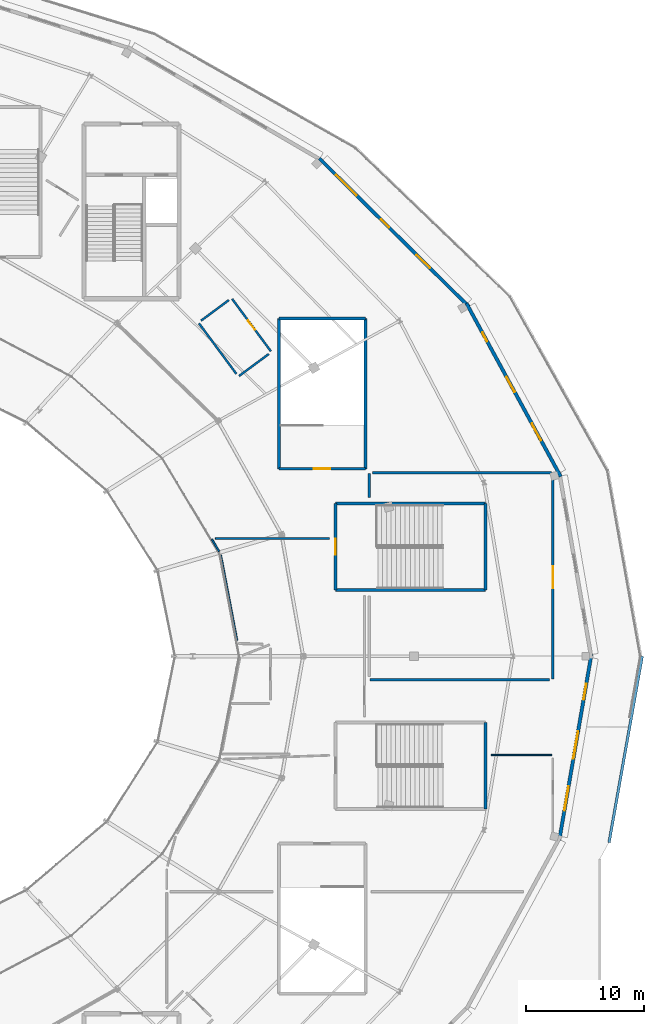
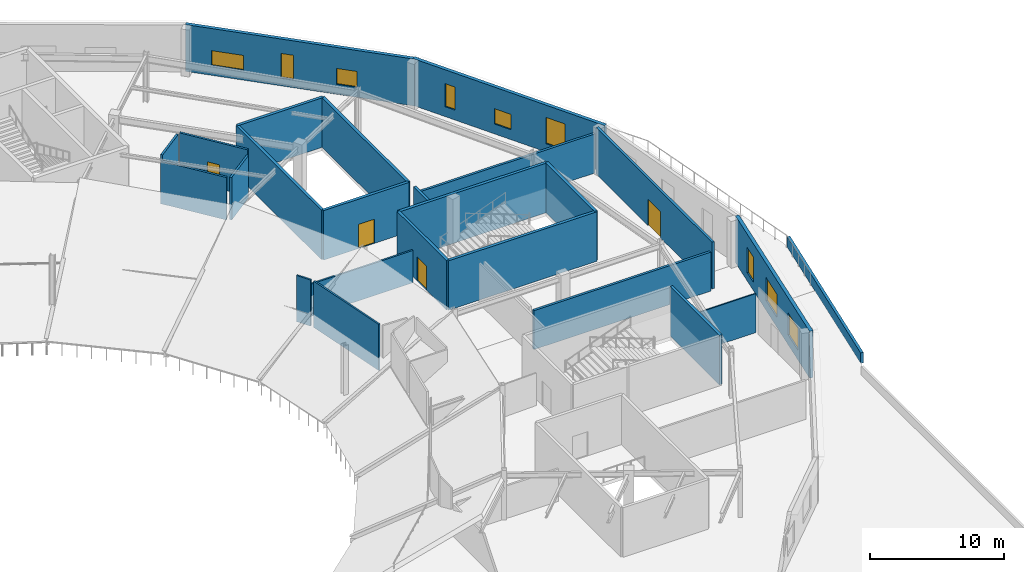
# One storey, part 41 of 63: 25 walls, 9 windows, 4 doors, 13 openings.
"""IFC4 building model written with IfcOpenShell, lengths in metres."""

from ifc_helpers import new_model, si_unit, direction, frame, frame_2d, origin, place, context, subcontext, project, spatial, rectangle, extrude, material, layer, layer_set, type_object, element, fill, save


model = new_model("IFC4")

# Units and contexts
model_context = context("Model", 3, precision=1e-05, world=origin(), true_north=direction((0.0, 1.0)))
body_context = subcontext(model_context, "Body", "Model", "MODEL_VIEW")
ifc_project = project(units=[si_unit("LENGTHUNIT", "METRE"), si_unit("AREAUNIT", "SQUARE_METRE"), si_unit("VOLUMEUNIT", "CUBIC_METRE"), si_unit("PLANEANGLEUNIT", "RADIAN"), si_unit("MASSUNIT", "GRAM", prefix="KILO")], contexts=[model_context])

# Site, building, storey
site_placement = place(None, origin())
site = spatial("IfcSite", under=ifc_project, at=site_placement, CompositionType="ELEMENT")
building_placement = place(site_placement, origin())
building = spatial("IfcBuilding", under=site, at=building_placement, Name="Kalgoora Escarpment Arena", CompositionType="ELEMENT")
storey_placement = place(building_placement, frame((0.0, 0.0, 14.39990234375)))
storey = spatial("IfcBuildingStorey", under=building, at=storey_placement, Name="L03", CompositionType="ELEMENT", Elevation=14.39990234375)

# Wall, openings, windows
ifc_material_1 = material(Name="Upper concourse insulated spandrel wall 40 MPa", Category="concrete")
ifc_layer_1 = layer(ifc_material_1, 0.2900390625)
ifc_layer_set_1 = layer_set([ifc_layer_1], Name="WAL-EXT-290")
wall_type_1 = type_object("IfcWallType", Name="WAL-EXT-290", PredefinedType="SOLIDWALL", material=ifc_layer_set_1)
wall_1_placement = place(storey_placement, frame((147.757080078125, 106.300537109375, 0.0), z_axis=(0.0, 0.0, 1.0), x_axis=(0.710110182589, -0.704090568452, 0.0)))
wall_1 = element("IfcWall", 1, at=wall_1_placement, inside=storey, type_object=wall_type_1, Name="L03 limestone-faced external wall 063", PredefinedType="SOLIDWALL", context=body_context, shape_type="SweptSolid", body=[
    extrude(rectangle(XDim=17.926513671875, YDim=0.2900390625, at=frame_2d((8.96337890625, 0.0))), origin(), (0.0, 0.0, 1.0), 4.260009765625),
])
opening_1_placement = place(wall_1_placement, frame((2.02490234375, 0.0, 0.89990234375)))
opening_1 = element("IfcOpeningElement", 2, at=opening_1_placement, cuts=wall_1, Name="Opening W-15", PredefinedType="OPENING", context=body_context, shape_type="SweptSolid", body=[
    extrude(rectangle(XDim=2.449951171875, YDim=1.35009765625, at=frame_2d((1.22509765625, 0.675048828125))), frame((0.0, 0.155029296875, 0.0), z_axis=(0.0, -1.0, 0.0), x_axis=(1.0, 0.0, 0.0)), (0.0, 0.0, 1.0), 0.31005859375),
])
opening_2_placement = place(wall_1_placement, frame((7.375, 0.0, 0.75)))
opening_2 = element("IfcOpeningElement", 3, at=opening_2_placement, cuts=wall_1, Name="Opening W-17", PredefinedType="OPENING", context=body_context, shape_type="SweptSolid", body=[
    extrude(rectangle(XDim=0.949951171875, YDim=2.199951171875, at=frame_2d((0.47509765625, 1.10009765625))), frame((0.0, 0.155029296875, 0.0), z_axis=(0.0, -1.0, 0.0), x_axis=(1.0, 0.0, 0.0)), (0.0, 0.0, 1.0), 0.31005859375),
])
opening_3_placement = place(wall_1_placement, frame((11.64990234375, 0.0, 0.89990234375)))
opening_3 = element("IfcOpeningElement", 4, at=opening_3_placement, cuts=wall_1, Name="Opening W-19", PredefinedType="OPENING", context=body_context, shape_type="SweptSolid", body=[
    extrude(rectangle(XDim=1.60009765625, YDim=1.449951171875, at=frame_2d((0.800048828125, 0.72509765625))), frame((0.0, 0.155029296875, 0.0), z_axis=(0.0, -1.0, 0.0), x_axis=(1.0, 0.0, 0.0)), (0.0, 0.0, 1.0), 0.31005859375),
])
ifc_material_2 = material(Name="Low-E solar-control double glazing in champagne frame", Category="glass")
window_type_1 = type_object("IfcWindowType", Name="WIN-BOH-1600x1450", PartitioningType="SINGLE_PANEL", PredefinedType="WINDOW", material=ifc_material_2)
window_1_placement = place(opening_3_placement, origin())
window_1 = element("IfcWindow", 5, at=window_1_placement, inside=storey, type_object=window_type_1, Name="L03 scheduled facade window 097", OverallHeight=1.449951171875, OverallWidth=1.60009765625, PartitioningType="SINGLE_PANEL", PredefinedType="WINDOW", context=body_context, shape_type="SweptSolid", body=[
    extrude(rectangle(XDim=1.60009765625, YDim=1.449951171875, at=frame_2d((0.800048828125, 0.72509765625))), frame((0.0, 0.030029296875, 0.0), z_axis=(0.0, -1.0, 0.0), x_axis=(1.0, 0.0, 0.0)), (0.0, 0.0, 1.0), 0.06005859375),
])
fill(opening_3, window_1)
ifc_material_3 = material(Name="Low-E solar-control double glazing in champagne frame", Category="glass")
window_type_2 = type_object("IfcWindowType", Name="WIN-CLER-2450x1350", PartitioningType="SINGLE_PANEL", PredefinedType="WINDOW", material=ifc_material_3)
window_2_placement = place(opening_1_placement, origin())
window_2 = element("IfcWindow", 6, at=window_2_placement, inside=storey, type_object=window_type_2, Name="L03 scheduled facade window 095", OverallHeight=1.35009765625, OverallWidth=2.449951171875, PartitioningType="SINGLE_PANEL", PredefinedType="WINDOW", context=body_context, shape_type="SweptSolid", body=[
    extrude(rectangle(XDim=2.449951171875, YDim=1.35009765625, at=frame_2d((1.22509765625, 0.675048828125))), frame((0.0, 0.030029296875, 0.0), z_axis=(0.0, -1.0, 0.0), x_axis=(1.0, 0.0, 0.0)), (0.0, 0.0, 1.0), 0.06005859375),
])
fill(opening_1, window_2)
ifc_material_4 = material(Name="Low-E solar-control double glazing in champagne frame", Category="glass")
window_type_3 = type_object("IfcWindowType", Name="WIN-SLOT-0950x2200", PartitioningType="SINGLE_PANEL", PredefinedType="WINDOW", material=ifc_material_4)
window_3_placement = place(opening_2_placement, origin())
window_3 = element("IfcWindow", 7, at=window_3_placement, inside=storey, type_object=window_type_3, Name="L03 scheduled facade window 096", OverallHeight=2.199951171875, OverallWidth=0.949951171875, PartitioningType="SINGLE_PANEL", PredefinedType="WINDOW", context=body_context, shape_type="SweptSolid", body=[
    extrude(rectangle(XDim=0.949951171875, YDim=2.199951171875, at=frame_2d((0.47509765625, 1.10009765625))), frame((0.0, 0.030029296875, 0.0), z_axis=(0.0, -1.0, 0.0), x_axis=(1.0, 0.0, 0.0)), (0.0, 0.0, 1.0), 0.06005859375),
])
fill(opening_2, window_3)

wall_2_placement = place(storey_placement, frame((160.26171875, 93.978515625, 0.0), z_axis=(0.0, 0.0, 1.0), x_axis=(0.47816402112, -0.878270555641, 0.0)))
wall_2 = element("IfcWall", 8, at=wall_2_placement, inside=storey, type_object=wall_type_1, Name="L03 limestone-faced external wall 064", PredefinedType="SOLIDWALL", context=body_context, shape_type="SweptSolid", body=[
    extrude(rectangle(XDim=16.75830078125, YDim=0.2900390625, at=frame_2d((8.379150390625, 0.0))), origin(), (0.0, 0.0, 1.0), 4.260009765625),
])
opening_4_placement = place(wall_2_placement, frame((2.824951171875, 0.0, 0.89990234375)))
opening_4 = element("IfcOpeningElement", 9, at=opening_4_placement, cuts=wall_2, Name="Opening W-18", PredefinedType="OPENING", context=body_context, shape_type="SweptSolid", body=[
    extrude(rectangle(XDim=0.85009765625, YDim=2.10009765625, at=frame_2d((0.425048828125, 1.050048828125))), frame((0.0, 0.155029296875, 0.0), z_axis=(0.0, -1.0, 0.0), x_axis=(1.0, 0.0, 0.0)), (0.0, 0.0, 1.0), 0.31005859375),
])
opening_5_placement = place(wall_2_placement, frame((7.125, 0.0, 0.89990234375)))
opening_5 = element("IfcOpeningElement", 10, at=opening_5_placement, cuts=wall_2, Name="Opening W-20", PredefinedType="OPENING", context=body_context, shape_type="SweptSolid", body=[
    extrude(rectangle(XDim=1.449951171875, YDim=1.39990234375, at=frame_2d((0.72509765625, 0.699951171875))), frame((0.0, 0.155029296875, 0.0), z_axis=(0.0, -1.0, 0.0), x_axis=(1.0, 0.0, 0.0)), (0.0, 0.0, 1.0), 0.31005859375),
])
opening_6_placement = place(wall_2_placement, frame((11.625, 0.0, 0.75)))
opening_6 = element("IfcOpeningElement", 11, at=opening_6_placement, cuts=wall_2, Name="Opening W-02", PredefinedType="OPENING", context=body_context, shape_type="SweptSolid", body=[
    extrude(rectangle(XDim=1.64990234375, YDim=2.39990234375, at=frame_2d((0.824951171875, 1.199951171875))), frame((0.0, 0.155029296875, 0.0), z_axis=(0.0, -1.0, 0.0), x_axis=(1.0, 0.0, 0.0)), (0.0, 0.0, 1.0), 0.31005859375),
])
ifc_material_5 = material(Name="Low-E solar-control double glazing in champagne frame", Category="glass")
window_type_4 = type_object("IfcWindowType", Name="WIN-BOH-1450x1400", PartitioningType="SINGLE_PANEL", PredefinedType="WINDOW", material=ifc_material_5)
window_4_placement = place(opening_5_placement, origin())
window_4 = element("IfcWindow", 12, at=window_4_placement, inside=storey, type_object=window_type_4, Name="L03 scheduled facade window 099", OverallHeight=1.39990234375, OverallWidth=1.449951171875, PartitioningType="SINGLE_PANEL", PredefinedType="WINDOW", context=body_context, shape_type="SweptSolid", body=[
    extrude(rectangle(XDim=1.449951171875, YDim=1.39990234375, at=frame_2d((0.72509765625, 0.699951171875))), frame((0.0, 0.030029296875, 0.0), z_axis=(0.0, -1.0, 0.0), x_axis=(1.0, 0.0, 0.0)), (0.0, 0.0, 1.0), 0.06005859375),
])
fill(opening_5, window_4)
ifc_material_6 = material(Name="Low-E solar-control double glazing in champagne frame", Category="glass")
window_type_5 = type_object("IfcWindowType", Name="WIN-DECO-1650x2400", PartitioningType="SINGLE_PANEL", PredefinedType="WINDOW", material=ifc_material_6)
window_5_placement = place(opening_6_placement, origin())
window_5 = element("IfcWindow", 13, at=window_5_placement, inside=storey, type_object=window_type_5, Name="L03 scheduled facade window 100", OverallHeight=2.39990234375, OverallWidth=1.64990234375, PartitioningType="SINGLE_PANEL", PredefinedType="WINDOW", context=body_context, shape_type="SweptSolid", body=[
    extrude(rectangle(XDim=1.64990234375, YDim=2.39990234375, at=frame_2d((0.824951171875, 1.199951171875))), frame((0.0, 0.030029296875, 0.0), z_axis=(0.0, -1.0, 0.0), x_axis=(1.0, 0.0, 0.0)), (0.0, 0.0, 1.0), 0.06005859375),
])
fill(opening_6, window_5)
ifc_material_7 = material(Name="Low-E solar-control double glazing in champagne frame", Category="glass")
window_type_6 = type_object("IfcWindowType", Name="WIN-SLOT-0850x2100", PartitioningType="SINGLE_PANEL", PredefinedType="WINDOW", material=ifc_material_7)
window_6_placement = place(opening_4_placement, origin())
window_6 = element("IfcWindow", 14, at=window_6_placement, inside=storey, type_object=window_type_6, Name="L03 scheduled facade window 098", OverallHeight=2.10009765625, OverallWidth=0.85009765625, PartitioningType="SINGLE_PANEL", PredefinedType="WINDOW", context=body_context, shape_type="SweptSolid", body=[
    extrude(rectangle(XDim=0.85009765625, YDim=2.10009765625, at=frame_2d((0.425048828125, 1.050048828125))), frame((0.0, 0.030029296875, 0.0), z_axis=(0.0, -1.0, 0.0), x_axis=(1.0, 0.0, 0.0)), (0.0, 0.0, 1.0), 0.06005859375),
])
fill(opening_4, window_6)

wall_3_placement = place(storey_placement, frame((170.8857421875, 64.1904296875, 0.0), z_axis=(0.0, 0.0, 1.0), x_axis=(-0.170508190824, -0.985356258854, 0.0)))
wall_3 = element("IfcWall", 15, at=wall_3_placement, inside=storey, type_object=wall_type_1, Name="L03 limestone-faced external wall 066", PredefinedType="SOLIDWALL", context=body_context, shape_type="SweptSolid", body=[
    extrude(rectangle(XDim=16.043701171875, YDim=0.2900390625, at=frame_2d((8.02197265625, 0.0))), origin(), (0.0, 0.0, 1.0), 4.260009765625),
])
opening_7_placement = place(wall_3_placement, frame((2.574951171875, 0.0, 0.75)))
opening_7 = element("IfcOpeningElement", 16, at=opening_7_placement, cuts=wall_3, Name="Opening W-04", PredefinedType="OPENING", context=body_context, shape_type="SweptSolid", body=[
    extrude(rectangle(XDim=1.35009765625, YDim=2.300048828125, at=frame_2d((0.675048828125, 1.14990234375))), frame((0.0, 0.155029296875, 0.0), z_axis=(0.0, -1.0, 0.0), x_axis=(1.0, 0.0, 0.0)), (0.0, 0.0, 1.0), 0.31005859375),
])
opening_8_placement = place(wall_3_placement, frame((6.64990234375, 0.0, 0.89990234375)))
opening_8 = element("IfcOpeningElement", 17, at=opening_8_placement, cuts=wall_3, Name="Opening W-06", PredefinedType="OPENING", context=body_context, shape_type="SweptSolid", body=[
    extrude(rectangle(XDim=2.39990234375, YDim=2.10009765625, at=frame_2d((1.199951171875, 1.050048828125))), frame((0.0, 0.155029296875, 0.0), z_axis=(0.0, -1.0, 0.0), x_axis=(1.0, 0.0, 0.0)), (0.0, 0.0, 1.0), 0.31005859375),
])
opening_9_placement = place(wall_3_placement, frame((11.39990234375, 0.0, 0.89990234375)))
opening_9 = element("IfcOpeningElement", 18, at=opening_9_placement, cuts=wall_3, Name="Opening W-08", PredefinedType="OPENING", context=body_context, shape_type="SweptSolid", body=[
    extrude(rectangle(XDim=2.10009765625, YDim=2.0, at=frame_2d((1.050048828125, 1.0))), frame((0.0, 0.155029296875, 0.0), z_axis=(0.0, -1.0, 0.0), x_axis=(1.0, 0.0, 0.0)), (0.0, 0.0, 1.0), 0.31005859375),
])
ifc_material_8 = material(Name="Low-E solar-control double glazing in champagne frame", Category="glass")
window_type_7 = type_object("IfcWindowType", Name="WIN-DECO-1350x2300", PartitioningType="SINGLE_PANEL", PredefinedType="WINDOW", material=ifc_material_8)
window_7_placement = place(opening_7_placement, origin())
window_7 = element("IfcWindow", 19, at=window_7_placement, inside=storey, type_object=window_type_7, Name="L03 scheduled facade window 104", OverallHeight=2.300048828125, OverallWidth=1.35009765625, PartitioningType="SINGLE_PANEL", PredefinedType="WINDOW", context=body_context, shape_type="SweptSolid", body=[
    extrude(rectangle(XDim=1.35009765625, YDim=2.300048828125, at=frame_2d((0.675048828125, 1.14990234375))), frame((0.0, 0.030029296875, 0.0), z_axis=(0.0, -1.0, 0.0), x_axis=(1.0, 0.0, 0.0)), (0.0, 0.0, 1.0), 0.06005859375),
])
fill(opening_7, window_7)
ifc_material_9 = material(Name="Low-E solar-control double glazing in champagne frame", Category="glass")
window_type_8 = type_object("IfcWindowType", Name="WIN-DECO-2100x2000", PartitioningType="SINGLE_PANEL", PredefinedType="WINDOW", material=ifc_material_9)
window_8_placement = place(opening_9_placement, origin())
window_8 = element("IfcWindow", 20, at=window_8_placement, inside=storey, type_object=window_type_8, Name="L03 scheduled facade window 106", OverallHeight=2.0, OverallWidth=2.10009765625, PartitioningType="SINGLE_PANEL", PredefinedType="WINDOW", context=body_context, shape_type="SweptSolid", body=[
    extrude(rectangle(XDim=2.10009765625, YDim=2.0, at=frame_2d((1.050048828125, 1.0))), frame((0.0, 0.030029296875, 0.0), z_axis=(0.0, -1.0, 0.0), x_axis=(1.0, 0.0, 0.0)), (0.0, 0.0, 1.0), 0.06005859375),
])
fill(opening_9, window_8)
ifc_material_10 = material(Name="Low-E solar-control double glazing in champagne frame", Category="glass")
window_type_9 = type_object("IfcWindowType", Name="WIN-DECO-2400x2100", PartitioningType="SINGLE_PANEL", PredefinedType="WINDOW", material=ifc_material_10)
window_9_placement = place(opening_8_placement, origin())
window_9 = element("IfcWindow", 21, at=window_9_placement, inside=storey, type_object=window_type_9, Name="L03 scheduled facade window 105", OverallHeight=2.10009765625, OverallWidth=2.39990234375, PartitioningType="SINGLE_PANEL", PredefinedType="WINDOW", context=body_context, shape_type="SweptSolid", body=[
    extrude(rectangle(XDim=2.39990234375, YDim=2.10009765625, at=frame_2d((1.199951171875, 1.050048828125))), frame((0.0, 0.030029296875, 0.0), z_axis=(0.0, -1.0, 0.0), x_axis=(1.0, 0.0, 0.0)), (0.0, 0.0, 1.0), 0.06005859375),
])
fill(opening_8, window_9)

# Walls
ifc_material_11 = material(Name="Framed acoustic studio partition", Category="gypsum")
ifc_layer_2 = layer(ifc_material_11, 0.10498046875)
ifc_layer_set_2 = layer_set([ifc_layer_2], Name="WAL-GLZ-105")
wall_type_2 = type_object("IfcWallType", Name="WAL-GLZ-105", PredefinedType="PARTITIONING", material=ifc_layer_set_2)
wall_4_placement = place(storey_placement, frame((162.375, 55.60009765625, 0.0), z_axis=(0.0, 0.0, 1.0), x_axis=(1.0, 0.0, 0.0)))
element("IfcWall", 22, at=wall_4_placement, inside=storey, type_object=wall_type_2, Name="L03 Sports Science Seminar Hall partition wall", PredefinedType="PARTITIONING", context=body_context, shape_type="SweptSolid", body=[
    extrude(rectangle(XDim=5.14501953125, YDim=0.10498046875, at=frame_2d((2.572509765625, 0.0))), origin(), (0.0, 0.0, 1.0), 3.543212890625),
])
ifc_material_12 = material(Name="Precast limestone coping parapet Concrete N40 (fc' 40 MPa)", Category="masonry")
ifc_layer_3 = layer(ifc_material_12, 0.22509765625)
ifc_layer_set_3 = layer_set([ifc_layer_3], Name="WAL-PAR-225")
wall_type_3 = type_object("IfcWallType", Name="WAL-PAR-225", PredefinedType="PARAPET", material=ifc_layer_set_3)
wall_5_placement = place(storey_placement, frame((175.199951171875, 64.0, 0.0), z_axis=(0.0, 0.0, 1.0), x_axis=(-0.175356282385, -0.984505040225, 0.0)))
element("IfcWall", 23, at=wall_5_placement, inside=storey, type_object=wall_type_3, Name="L03 stepped ziggurat limestone parapet 007", PredefinedType="PARAPET", context=body_context, shape_type="SweptSolid", body=[
    extrude(rectangle(XDim=16.0888671875, YDim=0.22509765625, at=frame_2d((8.04443359375, 0.0))), origin(), (0.0, 0.0, 1.0), 0.9501953125),
])
ifc_material_13 = material(Name="Acoustic masonry plant wall Concrete N40 (fc' 40 MPa)", Category="masonry")
ifc_layer_4 = layer(ifc_material_13, 0.205078125)
ifc_layer_set_4 = layer_set([ifc_layer_4], Name="WAL-PLANT-205")
wall_type_4 = type_object("IfcWallType", Name="WAL-PLANT-205", PredefinedType="SOLIDWALL", material=ifc_layer_set_4)
wall_6_placement = place(storey_placement, frame((152.0, 77.47509765625, 0.0), z_axis=(0.0, 0.0, 1.0), x_axis=(0.0, 1.0, 0.0)))
element("IfcWall", 24, at=wall_6_placement, inside=storey, type_object=wall_type_4, Name="L03 Upper Acoustic Dimmer Plant partition wall", PredefinedType="SOLIDWALL", context=body_context, shape_type="SweptSolid", body=[
    extrude(rectangle(XDim=2.044921875, YDim=0.205078125, at=frame_2d((1.0224609375, 0.0))), origin(), (0.0, 0.0, 1.0), 4.2001953125),
])
wall_7_placement = place(storey_placement, frame((152.284912109375, 79.60009765625, 0.0), z_axis=(0.0, 0.0, 1.0), x_axis=(1.0, 0.0, 0.0)))
element("IfcWall", 25, at=wall_7_placement, inside=storey, type_object=wall_type_4, Name="L03 Upper Acoustic Dimmer Plant partition wall", PredefinedType="SOLIDWALL", context=body_context, shape_type="SweptSolid", body=[
    extrude(rectangle(XDim=15.212646484375, YDim=0.205078125, at=frame_2d((7.6064453125, 0.0))), origin(), (0.0, 0.0, 1.0), 3.56298828125),
])

# Wall, opening, door
wall_8_placement = place(storey_placement, frame((167.60009765625, 79.325439453125, 0.0), z_axis=(0.0, 0.0, 1.0), x_axis=(0.0, -1.0, 0.0)))
wall_8 = element("IfcWall", 26, at=wall_8_placement, inside=storey, type_object=wall_type_4, Name="L03 Upper Acoustic Dimmer Plant partition wall", PredefinedType="SOLIDWALL", context=body_context, shape_type="SweptSolid", body=[
    extrude(rectangle(XDim=17.245361328125, YDim=0.205078125, at=frame_2d((8.62255859375, 0.0))), origin(), (0.0, 0.0, 1.0), 4.260009765625),
])
opening_10_placement = place(wall_8_placement, frame((7.69775390625, 0.0, 0.0)))
opening_10 = element("IfcOpeningElement", 27, at=opening_10_placement, cuts=wall_8, Name="Opening FD-I124", PredefinedType="OPENING", context=body_context, shape_type="SweptSolid", body=[
    extrude(rectangle(XDim=1.85009765625, YDim=2.39990234375, at=frame_2d((0.925048828125, 1.199951171875))), frame((0.0, 0.112548828125, 0.0), z_axis=(0.0, -1.0, 0.0), x_axis=(1.0, 0.0, 0.0)), (0.0, 0.0, 1.0), 0.22509765625),
])
ifc_material_14 = material(Name="Acoustic louvred steel double plant door", Category="steel")
door_type_1 = type_object("IfcDoorType", Name="DR-PLANT-1850", OperationType="NOTDEFINED", PredefinedType="DOOR", material=ifc_material_14)
door_1_placement = place(opening_10_placement, origin())
door_1 = element("IfcDoor", 28, at=door_1_placement, inside=storey, type_object=door_type_1, Name="Upper Acoustic Dimmer Plant entrance door", OperationType="DOUBLE_DOOR_SINGLE_SWING", OverallHeight=2.39990234375, OverallWidth=1.85009765625, PredefinedType="DOOR", context=body_context, shape_type="SweptSolid", body=[
    extrude(rectangle(XDim=1.85009765625, YDim=2.39990234375, at=frame_2d((0.925048828125, 1.199951171875))), frame((0.0, 0.02490234375, 0.0), z_axis=(0.0, -1.0, 0.0), x_axis=(1.0, 0.0, 0.0)), (0.0, 0.0, 1.0), 0.050048828125),
])
fill(opening_10, door_1)

# Walls
wall_9_placement = place(storey_placement, frame((167.315185546875, 62.0, 0.0), z_axis=(0.0, 0.0, 1.0), x_axis=(-1.0, 0.0, 0.0)))
element("IfcWall", 29, at=wall_9_placement, inside=storey, type_object=wall_type_4, Name="L03 Upper Acoustic Dimmer Plant partition wall", PredefinedType="SOLIDWALL", context=body_context, shape_type="SweptSolid", body=[
    extrude(rectangle(XDim=15.235107421875, YDim=0.205078125, at=frame_2d((7.61767578125, 0.0))), origin(), (0.0, 0.0, 1.0), 3.543212890625),
])
ifc_material_15 = material(Name="Insulated steel-stud acoustic partition", Category="steel")
ifc_layer_5 = layer(ifc_material_15, 0.14501953125)
ifc_layer_set_5 = layer_set([ifc_layer_5], Name="WAL-ROOM-145")
wall_type_5 = type_object("IfcWallType", Name="WAL-ROOM-145", PredefinedType="PARTITIONING", material=ifc_layer_set_5)
wall_10_placement = place(storey_placement, frame((140.767822265625, 65.34228515625, 0.0), z_axis=(0.0, 0.0, 1.0), x_axis=(-0.187497878966, 0.982265007716, 0.0)))
element("IfcWall", 30, at=wall_10_placement, inside=storey, type_object=wall_type_5, Name="L03 Upper Concourse Commissary Store partition wall", PredefinedType="PARTITIONING", context=body_context, shape_type="SweptSolid", body=[
    extrude(rectangle(XDim=7.41552734375, YDim=0.14501953125, at=frame_2d((3.707763671875, 0.0))), origin(), (0.0, 0.0, 1.0), 4.2001953125),
])
wall_11_placement = place(storey_placement, frame((139.248779296875, 72.896484375, 0.0), z_axis=(0.0, 0.0, 1.0), x_axis=(-0.51049187439, 0.859882576973, 0.0)))
element("IfcWall", 31, at=wall_11_placement, inside=storey, type_object=wall_type_5, Name="L03 Upper Concourse Commissary Store partition wall", PredefinedType="PARTITIONING", context=body_context, shape_type="SweptSolid", body=[
    extrude(rectangle(XDim=1.203369140625, YDim=0.14501953125, at=frame_2d((0.6015625, 0.0))), origin(), (0.0, 0.0, 1.0), 4.2001953125),
])
wall_12_placement = place(storey_placement, frame((138.9296875, 74.0, 0.0), z_axis=(0.0, 0.0, 1.0), x_axis=(1.0, 0.0, 0.0)))
element("IfcWall", 32, at=wall_12_placement, inside=storey, type_object=wall_type_5, Name="L03 Upper Concourse Commissary Store partition wall", PredefinedType="PARTITIONING", context=body_context, shape_type="SweptSolid", body=[
    extrude(rectangle(XDim=9.6953125, YDim=0.14501953125, at=frame_2d((4.84765625, 0.0))), origin(), (0.0, 0.0, 1.0), 2.943115234375),
])
ifc_material_16 = material(Name="Concrete N50 (fc' 50 MPa)", Category="concrete")
ifc_layer_6 = layer(ifc_material_16, 0.25)
ifc_layer_set_6 = layer_set([ifc_layer_6], Name="WAL-STAIR-250")
wall_type_6 = type_object("IfcWallType", Name="WAL-STAIR-250", PredefinedType="SHEAR", material=ifc_layer_set_6)
for number, where, z_axis, x_axis, name in (
    (33, (149.125, 69.625, 0.0), (0.0, 0.0, 1.0), (1.0, 0.0, 0.0), "Exit stair ST21 L03 south wall"),
    (34, (149.125, 76.97509765625, 0.0), (0.0, 0.0, 1.0), (1.0, 0.0, 0.0), "Exit stair ST21 L03 north wall"),
):
    element("IfcWall", number, at=place(storey_placement, frame(where, z_axis=z_axis, x_axis=x_axis)), inside=storey, type_object=wall_type_6, Name=name, PredefinedType="SHEAR", context=body_context, shape_type="SweptSolid", body=[
        extrude(rectangle(XDim=12.75, YDim=0.25, at=frame_2d((6.375, 0.0))), origin(), (0.0, 0.0, 1.0), 4.5),
    ])

# Wall, opening, door
wall_13_placement = place(storey_placement, frame((149.125, 69.625, 0.0), z_axis=(0.0, 0.0, 1.0), x_axis=(0.0, 1.0, 0.0)))
wall_13 = element("IfcWall", 35, at=wall_13_placement, inside=storey, type_object=wall_type_6, Name="Exit stair ST21 L03 west wall", PredefinedType="SHEAR", context=body_context, shape_type="SweptSolid", body=[
    extrude(rectangle(XDim=7.35009765625, YDim=0.25, at=frame_2d((3.675048828125, 0.0))), origin(), (0.0, 0.0, 1.0), 4.5),
])
opening_11_placement = place(wall_13_placement, frame((2.97509765625, 0.0, 0.0)))
opening_11 = element("IfcOpeningElement", 36, at=opening_11_placement, cuts=wall_13, Name="Opening FD-ST21", PredefinedType="OPENING", context=body_context, shape_type="SweptSolid", body=[
    extrude(rectangle(XDim=1.39990234375, YDim=2.199951171875, at=frame_2d((0.699951171875, 1.10009765625))), frame((0.0, 0.135009765625, 0.0), z_axis=(0.0, -1.0, 0.0), x_axis=(1.0, 0.0, 0.0)), (0.0, 0.0, 1.0), 0.27001953125),
])
ifc_material_17 = material(Name="Fire-rated steel stair leaf with vision panel", Category="steel")
door_type_2 = type_object("IfcDoorType", Name="DR-STAIR-1400", OperationType="NOTDEFINED", PredefinedType="DOOR", material=ifc_material_17)
door_2_placement = place(opening_11_placement, origin())
door_2 = element("IfcDoor", 37, at=door_2_placement, inside=storey, type_object=door_type_2, Name="Fire-isolated stair ST21 L03 egress door", OperationType="SINGLE_SWING_RIGHT", OverallHeight=2.199951171875, OverallWidth=1.39990234375, PredefinedType="DOOR", context=body_context, shape_type="SweptSolid", body=[
    extrude(rectangle(XDim=1.39990234375, YDim=2.199951171875, at=frame_2d((0.699951171875, 1.10009765625))), frame((0.0, 0.02490234375, 0.0), z_axis=(0.0, -1.0, 0.0), x_axis=(1.0, 0.0, 0.0)), (0.0, 0.0, 1.0), 0.050048828125),
])
fill(opening_11, door_2)

# Walls
for number, where, z_axis, x_axis, name in (
    (38, (161.875, 69.625, 0.0), (0.0, 0.0, 1.0), (0.0, 1.0, 0.0), "Exit stair ST21 L03 east wall"),
    (39, (161.875, 51.02490234375, 0.0), (0.0, 0.0, 1.0), (0.0, 1.0, 0.0), "Exit stair ST22 L03 east wall"),
):
    element("IfcWall", number, at=place(storey_placement, frame(where, z_axis=z_axis, x_axis=x_axis)), inside=storey, type_object=wall_type_6, Name=name, PredefinedType="SHEAR", context=body_context, shape_type="SweptSolid", body=[
        extrude(rectangle(XDim=7.35009765625, YDim=0.25, at=frame_2d((3.675048828125, 0.0))), origin(), (0.0, 0.0, 1.0), 4.5),
    ])

# Wall, opening, door
wall_14_placement = place(storey_placement, frame((144.324951171875, 79.925048828125, 0.0), z_axis=(0.0, 0.0, 1.0), x_axis=(1.0, 0.0, 0.0)))
wall_14 = element("IfcWall", 40, at=wall_14_placement, inside=storey, type_object=wall_type_6, Name="Exit stair ST23 L03 south wall", PredefinedType="SHEAR", context=body_context, shape_type="SweptSolid", body=[
    extrude(rectangle(XDim=7.35009765625, YDim=0.25, at=frame_2d((3.675048828125, 0.0))), origin(), (0.0, 0.0, 1.0), 4.5),
])
opening_12_placement = place(wall_14_placement, frame((2.97509765625, 0.0, 0.0)))
opening_12 = element("IfcOpeningElement", 41, at=opening_12_placement, cuts=wall_14, Name="Opening FD-ST23", PredefinedType="OPENING", context=body_context, shape_type="SweptSolid", body=[
    extrude(rectangle(XDim=1.39990234375, YDim=2.199951171875, at=frame_2d((0.699951171875, 1.10009765625))), frame((0.0, 0.135009765625, 0.0), z_axis=(0.0, -1.0, 0.0), x_axis=(1.0, 0.0, 0.0)), (0.0, 0.0, 1.0), 0.27001953125),
])
door_3_placement = place(opening_12_placement, origin())
door_3 = element("IfcDoor", 42, at=door_3_placement, inside=storey, type_object=door_type_2, Name="Fire-isolated stair ST23 L03 egress door", OperationType="SINGLE_SWING_LEFT", OverallHeight=2.199951171875, OverallWidth=1.39990234375, PredefinedType="DOOR", context=body_context, shape_type="SweptSolid", body=[
    extrude(rectangle(XDim=1.39990234375, YDim=2.199951171875, at=frame_2d((0.699951171875, 1.10009765625))), frame((0.0, 0.02490234375, 0.0), z_axis=(0.0, -1.0, 0.0), x_axis=(1.0, 0.0, 0.0)), (0.0, 0.0, 1.0), 0.050048828125),
])
fill(opening_12, door_3)

# Walls
wall_15_placement = place(storey_placement, frame((144.324951171875, 92.675048828125, 0.0), z_axis=(0.0, 0.0, 1.0), x_axis=(1.0, 0.0, 0.0)))
element("IfcWall", 43, at=wall_15_placement, inside=storey, type_object=wall_type_6, Name="Exit stair ST23 L03 north wall", PredefinedType="SHEAR", context=body_context, shape_type="SweptSolid", body=[
    extrude(rectangle(XDim=7.35009765625, YDim=0.25, at=frame_2d((3.675048828125, 0.0))), origin(), (0.0, 0.0, 1.0), 4.5),
])
for number, where, z_axis, x_axis, name in (
    (44, (144.324951171875, 79.925048828125, 0.0), (0.0, 0.0, 1.0), (0.0, 1.0, 0.0), "Exit stair ST23 L03 west wall"),
    (45, (151.675048828125, 79.925048828125, 0.0), (0.0, 0.0, 1.0), (0.0, 1.0, 0.0), "Exit stair ST23 L03 east wall"),
):
    element("IfcWall", number, at=place(storey_placement, frame(where, z_axis=z_axis, x_axis=x_axis)), inside=storey, type_object=wall_type_6, Name=name, PredefinedType="SHEAR", context=body_context, shape_type="SweptSolid", body=[
        extrude(rectangle(XDim=12.75, YDim=0.25, at=frame_2d((6.375, 0.0))), origin(), (0.0, 0.0, 1.0), 4.5),
    ])

# Wall, opening, door
ifc_material_18 = material(Name="Twin-stud acoustic plasterboard FRL -/60/60", Category="gypsum")
ifc_layer_7 = layer(ifc_material_18, 0.175048828125)
ifc_layer_set_7 = layer_set([ifc_layer_7], Name="WAL-SUITE-175")
wall_type_7 = type_object("IfcWallType", Name="WAL-SUITE-175", PredefinedType="PARTITIONING", material=ifc_layer_set_7)
wall_16_placement = place(storey_placement, frame((140.350341796875, 94.36181640625, 0.0), z_axis=(0.0, 0.0, 1.0), x_axis=(0.59480484694, -0.803870135069, 0.0)))
wall_16 = element("IfcWall", 46, at=wall_16_placement, inside=storey, type_object=wall_type_7, Name="L03 Hospitality Suite HS24 partition wall", PredefinedType="PARTITIONING", context=body_context, shape_type="SweptSolid", body=[
    extrude(rectangle(XDim=5.539794921875, YDim=0.175048828125, at=frame_2d((2.77001953125, 0.0))), origin(), (0.0, 0.0, 1.0), 4.2001953125),
])
opening_13_placement = place(wall_16_placement, frame((2.27001953125, 0.0, 0.0)))
opening_13 = element("IfcOpeningElement", 47, at=opening_13_placement, cuts=wall_16, Name="Opening FD-I109", PredefinedType="OPENING", context=body_context, shape_type="SweptSolid", body=[
    extrude(rectangle(XDim=1.0, YDim=2.199951171875, at=frame_2d((0.5, 1.10009765625))), frame((0.0, 0.097412109375, 0.0), z_axis=(0.0, -1.0, 0.0), x_axis=(1.0, 0.0, 0.0)), (0.0, 0.0, 1.0), 0.195068359375),
])
ifc_material_19 = material(Name="Veneered timber acoustic suite entrance door", Category="wood")
door_type_3 = type_object("IfcDoorType", Name="DR-SUITE-1000", OperationType="NOTDEFINED", PredefinedType="DOOR", material=ifc_material_19)
door_4_placement = place(opening_13_placement, origin())
door_4 = element("IfcDoor", 48, at=door_4_placement, inside=storey, type_object=door_type_3, Name="Hospitality Suite HS24 entrance door", OperationType="SINGLE_SWING_LEFT", OverallHeight=2.199951171875, OverallWidth=1.0, PredefinedType="DOOR", context=body_context, shape_type="SweptSolid", body=[
    extrude(rectangle(XDim=1.0, YDim=2.199951171875, at=frame_2d((0.5, 1.10009765625))), frame((0.0, 0.02490234375, 0.0), z_axis=(0.0, -1.0, 0.0), x_axis=(1.0, 0.0, 0.0)), (0.0, 0.0, 1.0), 0.050048828125),
])
fill(opening_13, door_4)

# Walls
wall_17_placement = place(storey_placement, frame((143.46435546875, 89.6748046875, 0.0), z_axis=(0.0, 0.0, 1.0), x_axis=(-0.80384264388, -0.594841999089, 0.0)))
element("IfcWall", 49, at=wall_17_placement, inside=storey, type_object=wall_type_7, Name="L03 Hospitality Suite HS24 partition wall", PredefinedType="PARTITIONING", context=body_context, shape_type="SweptSolid", body=[
    extrude(rectangle(XDim=3.13525390625, YDim=0.175048828125, at=frame_2d((1.567626953125, 0.0))), origin(), (0.0, 0.0, 1.0), 3.87109375),
])
wall_18_placement = place(storey_placement, frame((140.710205078125, 87.9912109375, 0.0), z_axis=(0.0, 0.0, 1.0), x_axis=(-0.594818166461, 0.803860279432, 0.0)))
element("IfcWall", 50, at=wall_18_placement, inside=storey, type_object=wall_type_7, Name="L03 Hospitality Suite HS24 partition wall", PredefinedType="PARTITIONING", context=body_context, shape_type="SweptSolid", body=[
    extrude(rectangle(XDim=5.3349609375, YDim=0.175048828125, at=frame_2d((2.66748046875, 0.0))), origin(), (0.0, 0.0, 1.0), 3.87109375),
])
wall_19_placement = place(storey_placement, frame((137.718017578125, 92.513671875, 0.0), z_axis=(0.0, 0.0, 1.0), x_axis=(0.803892091172, 0.59477517244, 0.0)))
element("IfcWall", 51, at=wall_19_placement, inside=storey, type_object=wall_type_7, Name="L03 Hospitality Suite HS24 partition wall", PredefinedType="PARTITIONING", context=body_context, shape_type="SweptSolid", body=[
    extrude(rectangle(XDim=2.930419921875, YDim=0.175048828125, at=frame_2d((1.46533203125, 0.0))), origin(), (0.0, 0.0, 1.0), 4.2001953125),
])

save(model, "model.ifc")
